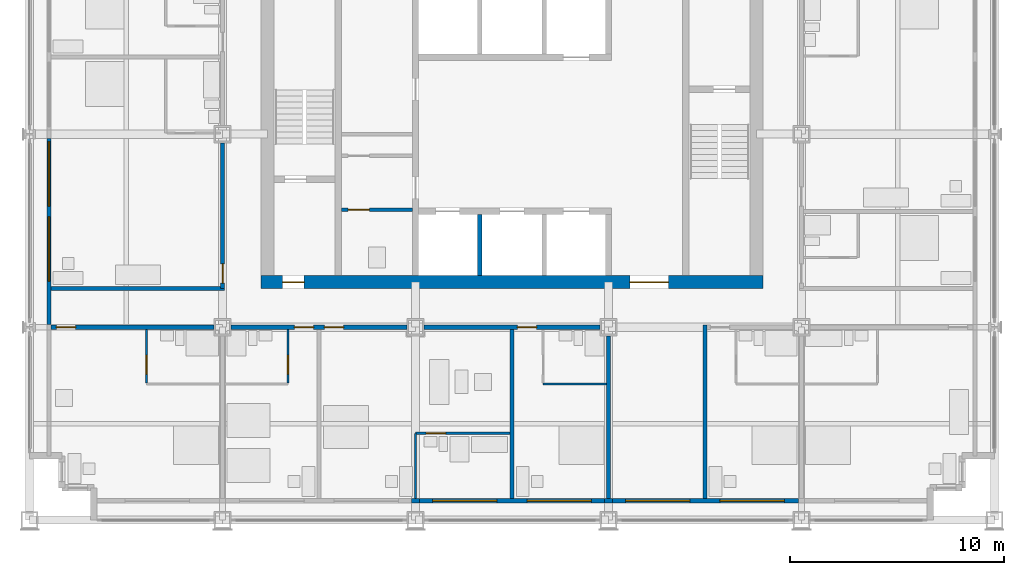
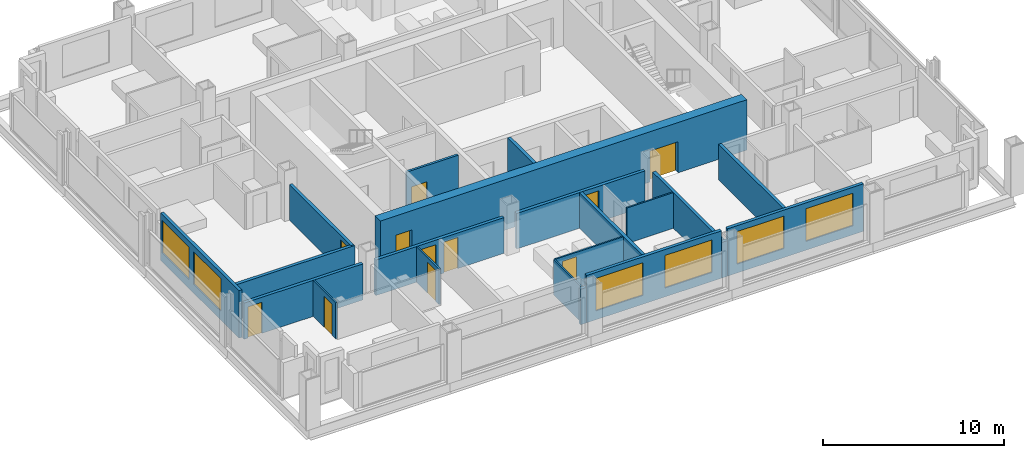
# One storey, part 9 of 16: 21 walls, 11 doors, 6 windows, 17 openings.
"""IFC4 building model written with IfcOpenShell, lengths in metres."""

import ifcopenshell
import ifcopenshell.guid

model = None  # the IFC model being written
_history = None  # IfcOwnerHistory: only IFC2X3 demands one
_inside = {}  # id of a spatial element -> (the spatial element, [elements in it])
_under = {}  # id of a project, library or spatial element -> (it, [spatial elements below it])
_declared = {}  # id of a project -> (the project, [libraries it declares])
_typed = {}  # id of a type object -> (the type object, [elements of that type])
_made_of = {}  # id of a material, layer set ... -> (it, [elements and type objects made of it])


def new_model(schema):
    """Start an empty IFC model of exactly this schema.

    Asked for "IFC4X3", IfcOpenShell would pick the latest addendum, in which some entities
    have other attributes; the version numbers below select the first issue.
    IFC2X3 requires an IfcOwnerHistory on every rooted entity: one is made here for all.
    """
    global model, _history
    if schema == "IFC4X3":
        model = ifcopenshell.file(schema_version=(4, 3, 0, 0))
    else:
        model = ifcopenshell.file(schema=schema)
    _inside.clear()
    _under.clear()
    _declared.clear()
    _typed.clear()
    _made_of.clear()
    _history = None
    if model.schema == "IFC2X3":
        org = make("IfcOrganization", Name="unknown")
        user = make(
            "IfcPersonAndOrganization",
            ThePerson=make("IfcPerson", FamilyName="unknown"),
            TheOrganization=org,
        )
        app = make(
            "IfcApplication",
            ApplicationDeveloper=org,
            Version="unknown",
            ApplicationFullName="unknown",
            ApplicationIdentifier="unknown",
        )
        _history = make(
            "IfcOwnerHistory",
            OwningUser=user,
            OwningApplication=app,
            ChangeAction="ADDED",
            CreationDate=0,
        )
    return model


def make(cls, **values):
    """One entity of the class cls with the attributes given. An attribute that is None is left unset."""
    return model.create_entity(
        cls, **{name: value for name, value in values.items() if value is not None}
    )


def rooted(cls, **values):
    """An entity with a GlobalId (a new one), such as an element, a storey or a relation."""
    return make(cls, GlobalId=ifcopenshell.guid.new(), OwnerHistory=_history, **values)


def si_unit(unit_type, name, prefix=None):
    """IfcSIUnit, for example si_unit("LENGTHUNIT", "METRE", prefix="MILLI")."""
    return make("IfcSIUnit", UnitType=unit_type, Prefix=prefix, Name=name)


def assignment(units):
    """IfcUnitAssignment: the units of a project."""
    return None if units is None else make("IfcUnitAssignment", Units=units)


def point(xyz):
    """IfcCartesianPoint."""
    return None if xyz is None else make("IfcCartesianPoint", Coordinates=xyz)


def direction(xyz):
    """IfcDirection."""
    return None if xyz is None else make("IfcDirection", DirectionRatios=xyz)


def frame(location, z_axis=None, x_axis=None):
    """IfcAxis2Placement3D, a coordinate frame: its origin and axes. An axis left out is left unset."""
    return make(
        "IfcAxis2Placement3D",
        Location=point(location),
        Axis=direction(z_axis),
        RefDirection=direction(x_axis),
    )


def frame_2d(location, x_axis=None):
    """IfcAxis2Placement2D, a coordinate frame in the plane: its origin and x axis."""
    return make(
        "IfcAxis2Placement2D", Location=point(location), RefDirection=direction(x_axis)
    )


def origin():
    """The frame at (0, 0, 0) with its axes left unset."""
    return frame((0.0, 0.0, 0.0))


def place(relative_to, where):
    """IfcLocalPlacement: puts the frame where relative to a parent placement (None: the world)."""
    return make(
        "IfcLocalPlacement", PlacementRelTo=relative_to, RelativePlacement=where
    )


def context(
    kind, dimensions, precision=None, world=None, true_north=None, identifier=None
):
    """IfcGeometricRepresentationContext, for example the 3D "Model" context."""
    return make(
        "IfcGeometricRepresentationContext",
        ContextIdentifier=identifier,
        ContextType=kind,
        CoordinateSpaceDimension=dimensions,
        Precision=precision,
        WorldCoordinateSystem=world,
        TrueNorth=true_north,
    )


def subcontext(parent, identifier, kind, view, scale=None):
    """IfcGeometricRepresentationSubContext, for example "Body" below "Model"."""
    return make(
        "IfcGeometricRepresentationSubContext",
        ContextIdentifier=identifier,
        ContextType=kind,
        ParentContext=parent,
        TargetScale=scale,
        TargetView=view,
    )


def project(units=None, contexts=None):
    """IfcProject with its units and contexts."""
    return rooted(
        "IfcProject",
        Name="project",
        RepresentationContexts=contexts,
        UnitsInContext=assignment(units),
    )


def spatial(cls, under=None, at=None, **own):
    """A site, building, storey or space (cls), placed at a placement, below another one or the project."""
    s = rooted(cls, ObjectPlacement=at, **own)
    if under is not None:
        _under.setdefault(under.id(), (under, []))[1].append(s)
    return s


def profile(cls, at=None, kind="AREA", **sizes):
    """A parametric profile (cls). Its sizes go by their IFC names, for example OverallWidth=200.0."""
    return make(cls, ProfileType=kind, Position=at, **sizes)


def rectangle(**sizes):
    """IfcRectangleProfileDef."""
    return profile("IfcRectangleProfileDef", **sizes)


def extrude(swept, where, along, depth):
    """IfcExtrudedAreaSolid: the profile swept, set in the frame where, extruded along a direction by depth."""
    return make(
        "IfcExtrudedAreaSolid",
        SweptArea=swept,
        Position=where,
        ExtrudedDirection=direction(along),
        Depth=depth,
    )


def shape(context_of_items, identifier, shape_type, items):
    """IfcShapeRepresentation: the items that make up one representation, for example the "Body"."""
    return make(
        "IfcShapeRepresentation",
        ContextOfItems=context_of_items,
        RepresentationIdentifier=identifier,
        RepresentationType=shape_type,
        Items=items,
    )


def material(Name=None, Category=None):
    """IfcMaterial."""
    return make("IfcMaterial", Name=Name, Category=Category)


def layer(
    of_material, thickness, ventilated=None, Name=None, Category=None, Priority=None
):
    """IfcMaterialLayer: one layer of a wall or slab, of a material (None: an air gap)."""
    return make(
        "IfcMaterialLayer",
        Material=of_material,
        LayerThickness=thickness,
        IsVentilated=ventilated,
        Name=Name,
        Category=Category,
        Priority=Priority,
    )


def layer_set(layers, Name=None):
    """IfcMaterialLayerSet."""
    return make("IfcMaterialLayerSet", MaterialLayers=layers, LayerSetName=Name)


def made_of(thing, what):
    """Note that an element or type object is made of a material, layer set ...; save() writes the relation."""
    if what is not None:
        _made_of.setdefault(what.id(), (what, []))[1].append(thing)
    return thing


def type_object(cls, material=None, **own):
    """A type object (cls), such as IfcWallType, which elements share."""
    return made_of(rooted(cls, **own), material)


def element(
    cls,
    number,
    at=None,
    inside=None,
    cuts=None,
    type_object=None,
    material=None,
    context=None,
    identifier="Body",
    shape_type=None,
    held_by="IfcProductDefinitionShape",
    body=None,
    shapes=None,
    **own,
):
    """One element of the class cls, such as IfcWall. Its Tag is "e" and its number.

    at: its placement. inside: the storey or other place that contains it. cuts: it is an
    opening in that element (IfcRelVoidsElement). A single representation is given by context,
    identifier, shape_type and body (its items); several are given by shapes. held_by: the class
    of the entity that holds the representations. save() writes the other relations.
    """
    e = rooted(cls, Tag="e%d" % number, ObjectPlacement=at, **own)
    if body is not None:
        shapes = [shape(context, identifier, shape_type, body)]
    if shapes is not None:
        e.Representation = make(held_by, Representations=shapes)
    if inside is not None:
        _inside.setdefault(inside.id(), (inside, []))[1].append(e)
    if cuts is not None:
        rooted(
            "IfcRelVoidsElement", RelatingBuildingElement=cuts, RelatedOpeningElement=e
        )
    if type_object is not None:
        _typed.setdefault(type_object.id(), (type_object, []))[1].append(e)
    return made_of(e, material)


def fill(opening, filler):
    """IfcRelFillsElement: the door or window that sits in an opening."""
    return rooted(
        "IfcRelFillsElement",
        RelatingOpeningElement=opening,
        RelatedBuildingElement=filler,
    )


def aggregate(whole, parts):
    """IfcRelAggregates: a whole, such as a stair, and the parts it consists of."""
    return rooted("IfcRelAggregates", RelatingObject=whole, RelatedObjects=parts)


def save(model, path):
    """Write the relations noted so far, then the file.

    IfcRelAggregates (storeys below a building ...), IfcRelContainedInSpatialStructure (elements
    in a storey), IfcRelDefinesByType, IfcRelAssociatesMaterial and IfcRelDeclares: one each for
    every whole, place, type object, material and project.
    """
    for whole, parts in _under.values():
        aggregate(whole, parts)
    for where, things in _inside.values():
        rooted(
            "IfcRelContainedInSpatialStructure",
            RelatedElements=things,
            RelatingStructure=where,
        )
    for kind, things in _typed.values():
        rooted("IfcRelDefinesByType", RelatedObjects=things, RelatingType=kind)
    for what, things in _made_of.values():
        rooted("IfcRelAssociatesMaterial", RelatedObjects=things, RelatingMaterial=what)
    for by, libraries in _declared.values():
        rooted("IfcRelDeclares", RelatingContext=by, RelatedDefinitions=libraries)
    model.write(path)


model = new_model("IFC4")

# Units and contexts
model_context = context("Model", 3, precision=1e-05, world=origin(), true_north=direction((0.0, 1.0)))
body_context = subcontext(model_context, "Body", "Model", "MODEL_VIEW")
ifc_project = project(units=[si_unit("LENGTHUNIT", "METRE"), si_unit("AREAUNIT", "SQUARE_METRE"), si_unit("VOLUMEUNIT", "CUBIC_METRE"), si_unit("PLANEANGLEUNIT", "RADIAN"), si_unit("MASSUNIT", "GRAM", prefix="KILO")], contexts=[model_context])

# Site, building, storey
site_placement = place(None, origin())
site = spatial("IfcSite", under=ifc_project, at=site_placement, CompositionType="ELEMENT")
building_placement = place(site_placement, origin())
building = spatial("IfcBuilding", under=site, at=building_placement, Name="Loomwork Tower", CompositionType="ELEMENT")
storey_placement = place(building_placement, frame((0.0, 0.0, 121.39990234375)))
storey = spatial("IfcBuildingStorey", under=building, at=storey_placement, Name="L32", CompositionType="ELEMENT", Elevation=121.39990234375)

# Wall, openings, doors
ifc_material_1 = material(Name="Concrete 14000 psi (97 MPa)", Category="concrete")
ifc_layer_1 = layer(ifc_material_1, 0.60009765625)
ifc_layer_set_1 = layer_set([ifc_layer_1], Name="Core shear wall 600")
wall_type_1 = type_object("IfcWallType", Name="Core shear wall 600", PredefinedType="SHEAR", material=ifc_layer_set_1)
wall_1_placement = place(storey_placement, frame((10.800048828125, 11.10009765625, 0.0), z_axis=(0.0, 0.0, 1.0), x_axis=(1.0, 0.0, 0.0)))
wall_1 = element("IfcWall", 1, at=wall_1_placement, inside=storey, type_object=wall_type_1, Name="Core wall south L32", PredefinedType="SHEAR", context=body_context, shape_type="SweptSolid", body=[
    extrude(rectangle(XDim=23.39990234375, YDim=0.60009765625, at=frame_2d((11.699951171875, 0.0))), origin(), (0.0, 0.0, 1.0), 3.400146484375),
])
opening_1_placement = place(wall_1_placement, frame((1.0, 0.0, 0.0)))
opening_1 = element("IfcOpeningElement", 2, at=opening_1_placement, cuts=wall_1, Name="Opening D4", PredefinedType="OPENING", context=body_context, shape_type="SweptSolid", body=[
    extrude(rectangle(XDim=1.0, YDim=2.10009765625, at=frame_2d((0.5, 1.050048828125))), frame((0.0, 0.31005859375, 0.0), z_axis=(0.0, -1.0, 0.0), x_axis=(1.0, 0.0, 0.0)), (0.0, 0.0, 1.0), 0.6201171875),
])
opening_2_placement = place(wall_1_placement, frame((17.199951171875, 0.0, 0.0)))
opening_2 = element("IfcOpeningElement", 3, at=opening_2_placement, cuts=wall_1, Name="Opening D6", PredefinedType="OPENING", context=body_context, shape_type="SweptSolid", body=[
    extrude(rectangle(XDim=1.800048828125, YDim=2.10009765625, at=frame_2d((0.89990234375, 1.050048828125))), frame((0.0, 0.31005859375, 0.0), z_axis=(0.0, -1.0, 0.0), x_axis=(1.0, 0.0, 0.0)), (0.0, 0.0, 1.0), 0.6201171875),
])
ifc_material_2 = material(Name="Hollow metal door and frame")
door_type_1 = type_object("IfcDoorType", Name="Lobby passage double door 1800", OperationType="DOUBLE_DOOR_SINGLE_SWING", PredefinedType="DOOR", material=ifc_material_2)
door_1_placement = place(opening_2_placement, origin())
door_1 = element("IfcDoor", 4, at=door_1_placement, inside=storey, type_object=door_type_1, Name="Lobby passage door south", OperationType="DOUBLE_DOOR_SINGLE_SWING", OverallHeight=2.10009765625, OverallWidth=1.800048828125, PredefinedType="DOOR", context=body_context, shape_type="SweptSolid", body=[
    extrude(rectangle(XDim=1.800048828125, YDim=2.10009765625, at=frame_2d((0.89990234375, 1.050048828125))), frame((0.0, 0.02490234375, 0.0), z_axis=(0.0, -1.0, 0.0), x_axis=(1.0, 0.0, 0.0)), (0.0, 0.0, 1.0), 0.050048828125),
])
fill(opening_2, door_1)
ifc_material_3 = material(Name="Hollow metal door and frame")
door_type_2 = type_object("IfcDoorType", Name="Stair door 1000", OperationType="SINGLE_SWING_RIGHT", PredefinedType="DOOR", material=ifc_material_3)
door_2_placement = place(opening_1_placement, origin())
door_2 = element("IfcDoor", 5, at=door_2_placement, inside=storey, type_object=door_type_2, Name="Stair A vestibule door", OperationType="SINGLE_SWING_LEFT", OverallHeight=2.10009765625, OverallWidth=1.0, PredefinedType="DOOR", context=body_context, shape_type="SweptSolid", body=[
    extrude(rectangle(XDim=1.0, YDim=2.10009765625, at=frame_2d((0.5, 1.050048828125))), frame((0.0, 0.02490234375, 0.0), z_axis=(0.0, -1.0, 0.0), x_axis=(1.0, 0.0, 0.0)), (0.0, 0.0, 1.0), 0.050048828125),
])
fill(opening_1, door_2)

# Wall, opening, door
ifc_material_4 = material(Name="Gypsum board on steel studs, one-hour", Category="steel")
ifc_layer_2 = layer(ifc_material_4, 0.199951171875)
ifc_layer_set_2 = layer_set([ifc_layer_2], Name="Corridor wall 200")
wall_type_2 = type_object("IfcWallType", Name="Corridor wall 200", PredefinedType="PARTITIONING", material=ifc_layer_set_2)
wall_2_placement = place(storey_placement, frame((1.0, 9.0, 0.0), z_axis=(0.0, 0.0, 1.0), x_axis=(1.0, 0.0, 0.0)))
wall_2 = element("IfcWall", 6, at=wall_2_placement, inside=storey, type_object=wall_type_2, Name="South corridor wall 1", PredefinedType="PARTITIONING", context=body_context, shape_type="SweptSolid", body=[
    extrude(rectangle(XDim=7.60009765625, YDim=0.199951171875, at=frame_2d((3.800048828125, 0.0))), origin(), (0.0, 0.0, 1.0), 2.43798828125),
])
opening_3_placement = place(wall_2_placement, frame((0.25, 0.0, 0.0)))
opening_3 = element("IfcOpeningElement", 7, at=opening_3_placement, cuts=wall_2, Name="Opening D1", PredefinedType="OPENING", context=body_context, shape_type="SweptSolid", body=[
    extrude(rectangle(XDim=0.89990234375, YDim=2.10009765625, at=frame_2d((0.449951171875, 1.050048828125))), frame((0.0, 0.10986328125, 0.0), z_axis=(0.0, -1.0, 0.0), x_axis=(1.0, 0.0, 0.0)), (0.0, 0.0, 1.0), 0.219970703125),
])
ifc_material_5 = material(Name="Hollow metal door and frame")
door_type_3 = type_object("IfcDoorType", Name="Guest room entry door 900", OperationType="SINGLE_SWING_LEFT", PredefinedType="DOOR", material=ifc_material_5)
door_3_placement = place(opening_3_placement, frame((0.89990234375, 0.0, 0.0), z_axis=(0.0, 0.0, 1.0), x_axis=(-1.0, 0.0, 0.0)))
door_3 = element("IfcDoor", 8, at=door_3_placement, inside=storey, type_object=door_type_3, Name="Guest room entry door L32 1", OperationType="SINGLE_SWING_RIGHT", OverallHeight=2.10009765625, OverallWidth=0.89990234375, PredefinedType="DOOR", context=body_context, shape_type="SweptSolid", body=[
    extrude(rectangle(XDim=0.89990234375, YDim=2.10009765625, at=frame_2d((0.449951171875, 1.050048828125))), frame((0.0, 0.02490234375, 0.0), z_axis=(0.0, -1.0, 0.0), x_axis=(1.0, 0.0, 0.0)), (0.0, 0.0, 1.0), 0.050048828125),
])
fill(opening_3, door_3)

# Wall, openings, doors
wall_3_placement = place(storey_placement, frame((9.39990234375, 9.0, 0.0), z_axis=(0.0, 0.0, 1.0), x_axis=(1.0, 0.0, 0.0)))
wall_3 = element("IfcWall", 9, at=wall_3_placement, inside=storey, type_object=wall_type_2, Name="South corridor wall 2", PredefinedType="PARTITIONING", context=body_context, shape_type="SweptSolid", body=[
    extrude(rectangle(XDim=8.2001953125, YDim=0.199951171875, at=frame_2d((4.10009765625, 0.0))), origin(), (0.0, 0.0, 1.0), 2.405029296875),
])
opening_4_placement = place(wall_3_placement, frame((2.949951171875, 0.0, 0.0)))
opening_4 = element("IfcOpeningElement", 10, at=opening_4_placement, cuts=wall_3, Name="Opening D1", PredefinedType="OPENING", context=body_context, shape_type="SweptSolid", body=[
    extrude(rectangle(XDim=0.89990234375, YDim=2.10009765625, at=frame_2d((0.449951171875, 1.050048828125))), frame((0.0, 0.10986328125, 0.0), z_axis=(0.0, -1.0, 0.0), x_axis=(1.0, 0.0, 0.0)), (0.0, 0.0, 1.0), 0.219970703125),
])
opening_5_placement = place(wall_3_placement, frame((4.35009765625, 0.0, 0.0)))
opening_5 = element("IfcOpeningElement", 11, at=opening_5_placement, cuts=wall_3, Name="Opening D1", PredefinedType="OPENING", context=body_context, shape_type="SweptSolid", body=[
    extrude(rectangle(XDim=0.89990234375, YDim=2.10009765625, at=frame_2d((0.449951171875, 1.050048828125))), frame((0.0, 0.10986328125, 0.0), z_axis=(0.0, -1.0, 0.0), x_axis=(1.0, 0.0, 0.0)), (0.0, 0.0, 1.0), 0.219970703125),
])
door_4_placement = place(opening_4_placement, frame((0.89990234375, 0.0, 0.0), z_axis=(0.0, 0.0, 1.0), x_axis=(-1.0, 0.0, 0.0)))
door_4 = element("IfcDoor", 12, at=door_4_placement, inside=storey, type_object=door_type_3, Name="Guest room entry door L32 2", OperationType="SINGLE_SWING_LEFT", OverallHeight=2.10009765625, OverallWidth=0.89990234375, PredefinedType="DOOR", context=body_context, shape_type="SweptSolid", body=[
    extrude(rectangle(XDim=0.89990234375, YDim=2.10009765625, at=frame_2d((0.449951171875, 1.050048828125))), frame((0.0, 0.02490234375, 0.0), z_axis=(0.0, -1.0, 0.0), x_axis=(1.0, 0.0, 0.0)), (0.0, 0.0, 1.0), 0.050048828125),
])
fill(opening_4, door_4)
door_5_placement = place(opening_5_placement, frame((0.89990234375, 0.0, 0.0), z_axis=(0.0, 0.0, 1.0), x_axis=(-1.0, 0.0, 0.0)))
door_5 = element("IfcDoor", 13, at=door_5_placement, inside=storey, type_object=door_type_3, Name="Guest room entry door L32 3", OperationType="SINGLE_SWING_RIGHT", OverallHeight=2.10009765625, OverallWidth=0.89990234375, PredefinedType="DOOR", context=body_context, shape_type="SweptSolid", body=[
    extrude(rectangle(XDim=0.89990234375, YDim=2.10009765625, at=frame_2d((0.449951171875, 1.050048828125))), frame((0.0, 0.02490234375, 0.0), z_axis=(0.0, -1.0, 0.0), x_axis=(1.0, 0.0, 0.0)), (0.0, 0.0, 1.0), 0.050048828125),
])
fill(opening_5, door_5)

# Wall, opening, door
wall_4_placement = place(storey_placement, frame((18.39990234375, 9.0, 0.0), z_axis=(0.0, 0.0, 1.0), x_axis=(1.0, 0.0, 0.0)))
wall_4 = element("IfcWall", 14, at=wall_4_placement, inside=storey, type_object=wall_type_2, Name="South corridor wall 3", PredefinedType="PARTITIONING", context=body_context, shape_type="SweptSolid", body=[
    extrude(rectangle(XDim=8.2001953125, YDim=0.199951171875, at=frame_2d((4.10009765625, 0.0))), origin(), (0.0, 0.0, 1.0), 2.405029296875),
])
opening_6_placement = place(wall_4_placement, frame((4.35009765625, 0.0, 0.0)))
opening_6 = element("IfcOpeningElement", 15, at=opening_6_placement, cuts=wall_4, Name="Opening D1", PredefinedType="OPENING", context=body_context, shape_type="SweptSolid", body=[
    extrude(rectangle(XDim=0.89990234375, YDim=2.10009765625, at=frame_2d((0.449951171875, 1.050048828125))), frame((0.0, 0.10986328125, 0.0), z_axis=(0.0, -1.0, 0.0), x_axis=(1.0, 0.0, 0.0)), (0.0, 0.0, 1.0), 0.219970703125),
])
door_6_placement = place(opening_6_placement, frame((0.89990234375, 0.0, 0.0), z_axis=(0.0, 0.0, 1.0), x_axis=(-1.0, 0.0, 0.0)))
door_6 = element("IfcDoor", 16, at=door_6_placement, inside=storey, type_object=door_type_3, Name="Guest room entry door L32 4", OperationType="SINGLE_SWING_RIGHT", OverallHeight=2.10009765625, OverallWidth=0.89990234375, PredefinedType="DOOR", context=body_context, shape_type="SweptSolid", body=[
    extrude(rectangle(XDim=0.89990234375, YDim=2.10009765625, at=frame_2d((0.449951171875, 1.050048828125))), frame((0.0, 0.02490234375, 0.0), z_axis=(0.0, -1.0, 0.0), x_axis=(1.0, 0.0, 0.0)), (0.0, 0.0, 1.0), 0.050048828125),
])
fill(opening_6, door_6)

wall_5_placement = place(storey_placement, frame((9.0, 10.800048828125, 0.0), z_axis=(0.0, 0.0, 1.0), x_axis=(0.0, 1.0, 0.0)))
wall_5 = element("IfcWall", 17, at=wall_5_placement, inside=storey, type_object=wall_type_2, Name="West corridor wall 1", PredefinedType="PARTITIONING", context=body_context, shape_type="SweptSolid", body=[
    extrude(rectangle(XDim=6.800048828125, YDim=0.199951171875, at=frame_2d((3.39990234375, 0.0))), origin(), (0.0, 0.0, 1.0), 2.405029296875),
])
opening_7_placement = place(wall_5_placement, frame((0.25, 0.0, 0.0)))
opening_7 = element("IfcOpeningElement", 18, at=opening_7_placement, cuts=wall_5, Name="Opening D1", PredefinedType="OPENING", context=body_context, shape_type="SweptSolid", body=[
    extrude(rectangle(XDim=0.89990234375, YDim=2.10009765625, at=frame_2d((0.449951171875, 1.050048828125))), frame((0.0, 0.10986328125, 0.0), z_axis=(0.0, -1.0, 0.0), x_axis=(1.0, 0.0, 0.0)), (0.0, 0.0, 1.0), 0.219970703125),
])
door_7_placement = place(opening_7_placement, origin())
door_7 = element("IfcDoor", 19, at=door_7_placement, inside=storey, type_object=door_type_3, Name="Guest room entry door L32 12", OperationType="SINGLE_SWING_LEFT", OverallHeight=2.10009765625, OverallWidth=0.89990234375, PredefinedType="DOOR", context=body_context, shape_type="SweptSolid", body=[
    extrude(rectangle(XDim=0.89990234375, YDim=2.10009765625, at=frame_2d((0.449951171875, 1.050048828125))), frame((0.0, 0.02490234375, 0.0), z_axis=(0.0, -1.0, 0.0), x_axis=(1.0, 0.0, 0.0)), (0.0, 0.0, 1.0), 0.050048828125),
])
fill(opening_7, door_7)

# Wall
wall_6_placement = place(storey_placement, frame((1.0, 10.800048828125, 0.0), z_axis=(0.0, 0.0, 1.0), x_axis=(1.0, 0.0, 0.0)))
element("IfcWall", 20, at=wall_6_placement, inside=storey, type_object=wall_type_2, Name="West band end wall S", PredefinedType="PARTITIONING", context=body_context, shape_type="SweptSolid", body=[
    extrude(rectangle(XDim=8.10009765625, YDim=0.199951171875, at=frame_2d((4.050048828125, 0.0))), origin(), (0.0, 0.0, 1.0), 2.404052734375),
])

# Wall, opening, door
ifc_material_6 = material(Name="Cement board on steel studs", Category="steel")
ifc_layer_3 = layer(ifc_material_6, 0.10009765625)
ifc_layer_set_3 = layer_set([ifc_layer_3], Name="En-suite partition 100")
wall_type_3 = type_object("IfcWallType", Name="En-suite partition 100", PredefinedType="PARTITIONING", material=ifc_layer_set_3)
wall_7_placement = place(storey_placement, frame((5.449951171875, 8.89990234375, 0.0), z_axis=(0.0, 0.0, 1.0), x_axis=(0.0, -1.0, 0.0)))
wall_7 = element("IfcWall", 21, at=wall_7_placement, inside=storey, type_object=wall_type_3, Name="En-suite side wall L32 room 1", PredefinedType="PARTITIONING", context=body_context, shape_type="SweptSolid", body=[
    extrude(rectangle(XDim=2.5, YDim=0.10009765625, at=frame_2d((1.25, 0.0))), origin(), (0.0, 0.0, 1.0), 2.43798828125),
])
opening_8_placement = place(wall_7_placement, frame((1.199951171875, 0.0, 0.0)))
opening_8 = element("IfcOpeningElement", 22, at=opening_8_placement, cuts=wall_7, Name="Opening D3", PredefinedType="OPENING", context=body_context, shape_type="SweptSolid", body=[
    extrude(rectangle(XDim=0.89990234375, YDim=2.10009765625, at=frame_2d((0.449951171875, 1.050048828125))), frame((0.0, 0.06005859375, 0.0), z_axis=(0.0, -1.0, 0.0), x_axis=(1.0, 0.0, 0.0)), (0.0, 0.0, 1.0), 0.1201171875),
])
ifc_material_7 = material(Name="Hollow metal door and frame")
door_type_4 = type_object("IfcDoorType", Name="Accessible en-suite door 900", OperationType="SLIDING_TO_LEFT", PredefinedType="DOOR", material=ifc_material_7)
door_8_placement = place(opening_8_placement, origin())
door_8 = element("IfcDoor", 23, at=door_8_placement, inside=storey, type_object=door_type_4, Name="Accessible en-suite door room 1", OperationType="SLIDING_TO_LEFT", OverallHeight=2.10009765625, OverallWidth=0.89990234375, PredefinedType="DOOR", context=body_context, shape_type="SweptSolid", body=[
    extrude(rectangle(XDim=0.89990234375, YDim=2.10009765625, at=frame_2d((0.449951171875, 1.050048828125))), frame((0.0, 0.02490234375, 0.0), z_axis=(0.0, -1.0, 0.0), x_axis=(1.0, 0.0, 0.0)), (0.0, 0.0, 1.0), 0.050048828125),
])
fill(opening_8, door_8)

wall_8_placement = place(storey_placement, frame((12.050048828125, 8.89990234375, 0.0), z_axis=(0.0, 0.0, 1.0), x_axis=(0.0, -1.0, 0.0)))
wall_8 = element("IfcWall", 24, at=wall_8_placement, inside=storey, type_object=wall_type_3, Name="En-suite side wall L32 room 2", PredefinedType="PARTITIONING", context=body_context, shape_type="SweptSolid", body=[
    extrude(rectangle(XDim=2.5, YDim=0.10009765625, at=frame_2d((1.25, 0.0))), origin(), (0.0, 0.0, 1.0), 2.404052734375),
])
opening_9_placement = place(wall_8_placement, frame((1.199951171875, 0.0, 0.0)))
opening_9 = element("IfcOpeningElement", 25, at=opening_9_placement, cuts=wall_8, Name="Opening D2", PredefinedType="OPENING", context=body_context, shape_type="SweptSolid", body=[
    extrude(rectangle(XDim=0.89990234375, YDim=2.10009765625, at=frame_2d((0.449951171875, 1.050048828125))), frame((0.0, 0.06005859375, 0.0), z_axis=(0.0, -1.0, 0.0), x_axis=(1.0, 0.0, 0.0)), (0.0, 0.0, 1.0), 0.1201171875),
])
ifc_material_8 = material(Name="Hollow metal door and frame")
door_type_5 = type_object("IfcDoorType", Name="En-suite door 900", OperationType="SINGLE_SWING_LEFT", PredefinedType="DOOR", material=ifc_material_8)
door_9_placement = place(opening_9_placement, frame((0.89990234375, 0.0, 0.0), z_axis=(0.0, 0.0, 1.0), x_axis=(-1.0, 0.0, 0.0)))
door_9 = element("IfcDoor", 26, at=door_9_placement, inside=storey, type_object=door_type_5, Name="En-suite door room 2", OperationType="SINGLE_SWING_LEFT", OverallHeight=2.10009765625, OverallWidth=0.89990234375, PredefinedType="DOOR", context=body_context, shape_type="SweptSolid", body=[
    extrude(rectangle(XDim=0.89990234375, YDim=2.10009765625, at=frame_2d((0.449951171875, 1.050048828125))), frame((0.0, 0.02490234375, 0.0), z_axis=(0.0, -1.0, 0.0), x_axis=(1.0, 0.0, 0.0)), (0.0, 0.0, 1.0), 0.050048828125),
])
fill(opening_9, door_9)

wall_9_placement = place(storey_placement, frame((18.0, 4.050048828125, 0.0), z_axis=(0.0, 0.0, 1.0), x_axis=(1.0, 0.0, 0.0)))
wall_9 = element("IfcWall", 27, at=wall_9_placement, inside=storey, type_object=wall_type_3, Name="Spa bathroom wall L32 room 3", PredefinedType="PARTITIONING", context=body_context, shape_type="SweptSolid", body=[
    extrude(rectangle(XDim=4.39990234375, YDim=0.10009765625, at=frame_2d((2.199951171875, 0.0))), origin(), (0.0, 0.0, 1.0), 2.404052734375),
])
opening_10_placement = place(wall_9_placement, frame((0.5, 0.0, 0.0)))
opening_10 = element("IfcOpeningElement", 28, at=opening_10_placement, cuts=wall_9, Name="Opening D2", PredefinedType="OPENING", context=body_context, shape_type="SweptSolid", body=[
    extrude(rectangle(XDim=0.89990234375, YDim=2.10009765625, at=frame_2d((0.449951171875, 1.050048828125))), frame((0.0, 0.06005859375, 0.0), z_axis=(0.0, -1.0, 0.0), x_axis=(1.0, 0.0, 0.0)), (0.0, 0.0, 1.0), 0.1201171875),
])
door_10_placement = place(opening_10_placement, frame((0.89990234375, 0.0, 0.0), z_axis=(0.0, 0.0, 1.0), x_axis=(-1.0, 0.0, 0.0)))
door_10 = element("IfcDoor", 29, at=door_10_placement, inside=storey, type_object=door_type_5, Name="Spa bathroom door room 3", OperationType="SINGLE_SWING_RIGHT", OverallHeight=2.10009765625, OverallWidth=0.89990234375, PredefinedType="DOOR", context=body_context, shape_type="SweptSolid", body=[
    extrude(rectangle(XDim=0.89990234375, YDim=2.10009765625, at=frame_2d((0.449951171875, 1.050048828125))), frame((0.0, 0.02490234375, 0.0), z_axis=(0.0, -1.0, 0.0), x_axis=(1.0, 0.0, 0.0)), (0.0, 0.0, 1.0), 0.050048828125),
])
fill(opening_10, door_10)

# Walls
wall_10_placement = place(storey_placement, frame((18.0, 4.050048828125, 0.0), z_axis=(0.0, 0.0, 1.0), x_axis=(0.0, -1.0, 0.0)))
element("IfcWall", 30, at=wall_10_placement, inside=storey, type_object=wall_type_3, Name="Spa bathroom side wall L32 room 3", PredefinedType="PARTITIONING", context=body_context, shape_type="SweptSolid", body=[
    extrude(rectangle(XDim=3.050048828125, YDim=0.10009765625, at=frame_2d((1.52490234375, 0.0))), origin(), (0.0, 0.0, 1.0), 2.405029296875),
])
wall_11_placement = place(storey_placement, frame((23.949951171875, 6.35009765625, 0.0), z_axis=(0.0, 0.0, 1.0), x_axis=(1.0, 0.0, 0.0)))
element("IfcWall", 31, at=wall_11_placement, inside=storey, type_object=wall_type_3, Name="En-suite wall L32 room 4", PredefinedType="PARTITIONING", context=body_context, shape_type="SweptSolid", body=[
    extrude(rectangle(XDim=2.949951171875, YDim=0.10009765625, at=frame_2d((1.47509765625, 0.0))), origin(), (0.0, 0.0, 1.0), 2.404052734375),
])
ifc_material_9 = material(Name="Gypsum board on steel studs, acoustic", Category="steel")
ifc_layer_4 = layer(ifc_material_9, 0.199951171875)
ifc_layer_set_4 = layer_set([ifc_layer_4], Name="Guest room party wall 200")
wall_type_4 = type_object("IfcWallType", Name="Guest room party wall 200", PredefinedType="PARTITIONING", material=ifc_layer_set_4)
wall_12_placement = place(storey_placement, frame((22.5, 8.89990234375, 0.0), z_axis=(0.0, 0.0, 1.0), x_axis=(0.0, -1.0, 0.0)))
element("IfcWall", 32, at=wall_12_placement, inside=storey, type_object=wall_type_4, Name="Guest room party wall S 22.5", PredefinedType="PARTITIONING", context=body_context, shape_type="SweptSolid", body=[
    extrude(rectangle(XDim=7.89990234375, YDim=0.199951171875, at=frame_2d((3.949951171875, 0.0))), origin(), (0.0, 0.0, 1.0), 2.404052734375),
])
wall_13_placement = place(storey_placement, frame((27.0, 8.60009765625, 0.0), z_axis=(0.0, 0.0, 1.0), x_axis=(0.0, -1.0, 0.0)))
element("IfcWall", 33, at=wall_13_placement, inside=storey, type_object=wall_type_4, Name="Guest room party wall S 27", PredefinedType="PARTITIONING", context=body_context, shape_type="SweptSolid", body=[
    extrude(rectangle(XDim=7.60009765625, YDim=0.199951171875, at=frame_2d((3.800048828125, 0.0))), origin(), (0.0, 0.0, 1.0), 2.405029296875),
])
wall_14_placement = place(storey_placement, frame((31.5, 9.10009765625, 0.0), z_axis=(0.0, 0.0, 1.0), x_axis=(0.0, -1.0, 0.0)))
element("IfcWall", 34, at=wall_14_placement, inside=storey, type_object=wall_type_4, Name="Guest room party wall S 31.5", PredefinedType="PARTITIONING", context=body_context, shape_type="SweptSolid", body=[
    extrude(rectangle(XDim=8.10009765625, YDim=0.199951171875, at=frame_2d((4.050048828125, 0.0))), origin(), (0.0, 0.0, 1.0), 2.404052734375),
])
ifc_material_10 = material(Name="Insulated steel stud wall with gypsum lining", Category="steel")
ifc_layer_5 = layer(ifc_material_10, 0.199951171875)
ifc_layer_set_5 = layer_set([ifc_layer_5], Name="Inner skin wall 200")
wall_type_5 = type_object("IfcWallType", Name="Inner skin wall 200", PredefinedType="SOLIDWALL", material=ifc_layer_set_5)
wall_15_placement = place(storey_placement, frame((17.80615234375, 0.89990234375, 0.0), z_axis=(0.0, 0.0, 1.0), x_axis=(1.0, 0.0, 0.0)))
element("IfcWall", 35, at=wall_15_placement, inside=storey, type_object=wall_type_5, Name="Inner skin wall S bay 4", PredefinedType="SOLIDWALL", context=body_context, shape_type="SweptSolid", body=[
    extrude(rectangle(XDim=0.3876953125, YDim=0.199951171875, at=frame_2d((0.19384765625, 0.0))), origin(), (0.0, 0.0, 1.0), 2.404052734375),
])

# Wall, openings, windows
wall_16_placement = place(storey_placement, frame((18.19384765625, 0.89990234375, 0.0), z_axis=(0.0, 0.0, 1.0), x_axis=(1.0, 0.0, 0.0)))
wall_16 = element("IfcWall", 36, at=wall_16_placement, inside=storey, type_object=wall_type_5, Name="Inner skin wall S bay 5", PredefinedType="SOLIDWALL", context=body_context, shape_type="SweptSolid", body=[
    extrude(rectangle(XDim=8.6123046875, YDim=0.199951171875, at=frame_2d((4.30615234375, 0.0))), origin(), (0.0, 0.0, 1.0), 3.2001953125),
])
opening_11_placement = place(wall_16_placement, frame((0.606201171875, 0.0, 0.60009765625)))
opening_11 = element("IfcOpeningElement", 37, at=opening_11_placement, cuts=wall_16, Name="Opening CH1", PredefinedType="OPENING", context=body_context, shape_type="SweptSolid", body=[
    extrude(rectangle(XDim=3.0, YDim=2.199951171875, at=frame_2d((1.5, 1.10009765625))), frame((0.0, 0.10986328125, 0.0), z_axis=(0.0, -1.0, 0.0), x_axis=(1.0, 0.0, 0.0)), (0.0, 0.0, 1.0), 0.219970703125),
])
opening_12_placement = place(wall_16_placement, frame((5.006103515625, 0.0, 0.60009765625)))
opening_12 = element("IfcOpeningElement", 38, at=opening_12_placement, cuts=wall_16, Name="Opening CH1", PredefinedType="OPENING", context=body_context, shape_type="SweptSolid", body=[
    extrude(rectangle(XDim=3.0, YDim=2.199951171875, at=frame_2d((1.5, 1.10009765625))), frame((0.0, 0.10986328125, 0.0), z_axis=(0.0, -1.0, 0.0), x_axis=(1.0, 0.0, 0.0)), (0.0, 0.0, 1.0), 0.219970703125),
])
ifc_material_11 = material(Name="Aluminium frame with clear insulated glass", Category="aluminium")
window_type = type_object("IfcWindowType", Name="Chicago window 3000", PartitioningType="TRIPLE_PANEL_VERTICAL", PredefinedType="WINDOW", material=ifc_material_11)
window_1_placement = place(opening_11_placement, origin())
window_1 = element("IfcWindow", 39, at=window_1_placement, inside=storey, type_object=window_type, Name="Chicago window L32 bay 3", OverallHeight=2.199951171875, OverallWidth=3.0, PartitioningType="TRIPLE_PANEL_VERTICAL", PredefinedType="WINDOW", context=body_context, shape_type="SweptSolid", body=[
    extrude(rectangle(XDim=3.0, YDim=2.199951171875, at=frame_2d((1.5, 1.10009765625))), frame((0.0, 0.030029296875, 0.0), z_axis=(0.0, -1.0, 0.0), x_axis=(1.0, 0.0, 0.0)), (0.0, 0.0, 1.0), 0.06005859375),
])
fill(opening_11, window_1)
window_2_placement = place(opening_12_placement, origin())
window_2 = element("IfcWindow", 40, at=window_2_placement, inside=storey, type_object=window_type, Name="Chicago window L32 bay 3", OverallHeight=2.199951171875, OverallWidth=3.0, PartitioningType="TRIPLE_PANEL_VERTICAL", PredefinedType="WINDOW", context=body_context, shape_type="SweptSolid", body=[
    extrude(rectangle(XDim=3.0, YDim=2.199951171875, at=frame_2d((1.5, 1.10009765625))), frame((0.0, 0.030029296875, 0.0), z_axis=(0.0, -1.0, 0.0), x_axis=(1.0, 0.0, 0.0)), (0.0, 0.0, 1.0), 0.06005859375),
])
fill(opening_12, window_2)

# Wall
wall_17_placement = place(storey_placement, frame((26.80615234375, 0.89990234375, 0.0), z_axis=(0.0, 0.0, 1.0), x_axis=(1.0, 0.0, 0.0)))
element("IfcWall", 41, at=wall_17_placement, inside=storey, type_object=wall_type_5, Name="Inner skin wall S bay 6", PredefinedType="SOLIDWALL", context=body_context, shape_type="SweptSolid", body=[
    extrude(rectangle(XDim=0.3876953125, YDim=0.199951171875, at=frame_2d((0.19384765625, 0.0))), origin(), (0.0, 0.0, 1.0), 2.404052734375),
])

# Wall, openings, windows
wall_18_placement = place(storey_placement, frame((27.19384765625, 0.89990234375, 0.0), z_axis=(0.0, 0.0, 1.0), x_axis=(1.0, 0.0, 0.0)))
wall_18 = element("IfcWall", 42, at=wall_18_placement, inside=storey, type_object=wall_type_5, Name="Inner skin wall S bay 7", PredefinedType="SOLIDWALL", context=body_context, shape_type="SweptSolid", body=[
    extrude(rectangle(XDim=8.670654296875, YDim=0.199951171875, at=frame_2d((4.33544921875, 0.0))), origin(), (0.0, 0.0, 1.0), 3.2001953125),
])
opening_13_placement = place(wall_18_placement, frame((0.606201171875, 0.0, 0.60009765625)))
opening_13 = element("IfcOpeningElement", 43, at=opening_13_placement, cuts=wall_18, Name="Opening CH1", PredefinedType="OPENING", context=body_context, shape_type="SweptSolid", body=[
    extrude(rectangle(XDim=3.0, YDim=2.199951171875, at=frame_2d((1.5, 1.10009765625))), frame((0.0, 0.10986328125, 0.0), z_axis=(0.0, -1.0, 0.0), x_axis=(1.0, 0.0, 0.0)), (0.0, 0.0, 1.0), 0.219970703125),
])
opening_14_placement = place(wall_18_placement, frame((5.006103515625, 0.0, 0.60009765625)))
opening_14 = element("IfcOpeningElement", 44, at=opening_14_placement, cuts=wall_18, Name="Opening CH1", PredefinedType="OPENING", context=body_context, shape_type="SweptSolid", body=[
    extrude(rectangle(XDim=3.0, YDim=2.199951171875, at=frame_2d((1.5, 1.10009765625))), frame((0.0, 0.10986328125, 0.0), z_axis=(0.0, -1.0, 0.0), x_axis=(1.0, 0.0, 0.0)), (0.0, 0.0, 1.0), 0.219970703125),
])
window_3_placement = place(opening_13_placement, origin())
window_3 = element("IfcWindow", 45, at=window_3_placement, inside=storey, type_object=window_type, Name="Chicago window L32 bay 4", OverallHeight=2.199951171875, OverallWidth=3.0, PartitioningType="TRIPLE_PANEL_VERTICAL", PredefinedType="WINDOW", context=body_context, shape_type="SweptSolid", body=[
    extrude(rectangle(XDim=3.0, YDim=2.199951171875, at=frame_2d((1.5, 1.10009765625))), frame((0.0, 0.030029296875, 0.0), z_axis=(0.0, -1.0, 0.0), x_axis=(1.0, 0.0, 0.0)), (0.0, 0.0, 1.0), 0.06005859375),
])
fill(opening_13, window_3)
window_4_placement = place(opening_14_placement, origin())
window_4 = element("IfcWindow", 46, at=window_4_placement, inside=storey, type_object=window_type, Name="Chicago window L32 bay 4", OverallHeight=2.199951171875, OverallWidth=3.0, PartitioningType="TRIPLE_PANEL_VERTICAL", PredefinedType="WINDOW", context=body_context, shape_type="SweptSolid", body=[
    extrude(rectangle(XDim=3.0, YDim=2.199951171875, at=frame_2d((1.5, 1.10009765625))), frame((0.0, 0.030029296875, 0.0), z_axis=(0.0, -1.0, 0.0), x_axis=(1.0, 0.0, 0.0)), (0.0, 0.0, 1.0), 0.06005859375),
])
fill(opening_14, window_4)

wall_19_placement = place(storey_placement, frame((0.89990234375, 9.13525390625, 0.0), z_axis=(0.0, 0.0, 1.0), x_axis=(0.0, 1.0, 0.0)))
wall_19 = element("IfcWall", 47, at=wall_19_placement, inside=storey, type_object=wall_type_5, Name="Inner skin wall W bay 5", PredefinedType="SOLIDWALL", context=body_context, shape_type="SweptSolid", body=[
    extrude(rectangle(XDim=8.6708984375, YDim=0.199951171875, at=frame_2d((4.33544921875, 0.0))), origin(), (0.0, 0.0, 1.0), 3.2001953125),
])
opening_15_placement = place(wall_19_placement, frame((2.0146484375, 0.0, 0.60009765625)))
opening_15 = element("IfcOpeningElement", 48, at=opening_15_placement, cuts=wall_19, Name="Opening CH1", PredefinedType="OPENING", context=body_context, shape_type="SweptSolid", body=[
    extrude(rectangle(XDim=3.0, YDim=2.199951171875, at=frame_2d((1.5, 1.10009765625))), frame((0.0, 0.10986328125, 0.0), z_axis=(0.0, -1.0, 0.0), x_axis=(1.0, 0.0, 0.0)), (0.0, 0.0, 1.0), 0.219970703125),
])
opening_16_placement = place(wall_19_placement, frame((5.5146484375, 0.0, 0.60009765625)))
opening_16 = element("IfcOpeningElement", 49, at=opening_16_placement, cuts=wall_19, Name="Opening CH1", PredefinedType="OPENING", context=body_context, shape_type="SweptSolid", body=[
    extrude(rectangle(XDim=3.0, YDim=2.199951171875, at=frame_2d((1.5, 1.10009765625))), frame((0.0, 0.10986328125, 0.0), z_axis=(0.0, -1.0, 0.0), x_axis=(1.0, 0.0, 0.0)), (0.0, 0.0, 1.0), 0.219970703125),
])
window_5_placement = place(opening_15_placement, origin())
window_5 = element("IfcWindow", 50, at=window_5_placement, inside=storey, type_object=window_type, Name="Chicago window L32 bay 11", OverallHeight=2.199951171875, OverallWidth=3.0, PartitioningType="TRIPLE_PANEL_VERTICAL", PredefinedType="WINDOW", context=body_context, shape_type="SweptSolid", body=[
    extrude(rectangle(XDim=3.0, YDim=2.199951171875, at=frame_2d((1.5, 1.10009765625))), frame((0.0, 0.030029296875, 0.0), z_axis=(0.0, -1.0, 0.0), x_axis=(1.0, 0.0, 0.0)), (0.0, 0.0, 1.0), 0.06005859375),
])
fill(opening_15, window_5)
window_6_placement = place(opening_16_placement, origin())
window_6 = element("IfcWindow", 51, at=window_6_placement, inside=storey, type_object=window_type, Name="Chicago window L32 bay 11", OverallHeight=2.199951171875, OverallWidth=3.0, PartitioningType="TRIPLE_PANEL_VERTICAL", PredefinedType="WINDOW", context=body_context, shape_type="SweptSolid", body=[
    extrude(rectangle(XDim=3.0, YDim=2.199951171875, at=frame_2d((1.5, 1.10009765625))), frame((0.0, 0.030029296875, 0.0), z_axis=(0.0, -1.0, 0.0), x_axis=(1.0, 0.0, 0.0)), (0.0, 0.0, 1.0), 0.06005859375),
])
fill(opening_16, window_6)

# Wall
ifc_material_12 = material(Name="Concrete 14000 psi (97 MPa)", Category="concrete")
ifc_layer_6 = layer(ifc_material_12, 0.199951171875)
ifc_layer_set_6 = layer_set([ifc_layer_6], Name="Lift shaft wall 200")
wall_type_6 = type_object("IfcWallType", Name="Lift shaft wall 200", PredefinedType="SHEAR", material=ifc_layer_set_6)
wall_20_placement = place(storey_placement, frame((21.0, 11.39990234375, 0.0), z_axis=(0.0, 0.0, 1.0), x_axis=(0.0, 1.0, 0.0)))
element("IfcWall", 52, at=wall_20_placement, inside=storey, type_object=wall_type_6, Name="Lift shaft separation wall south 1 L32", PredefinedType="SHEAR", context=body_context, shape_type="SweptSolid", body=[
    extrude(rectangle(XDim=2.85009765625, YDim=0.199951171875, at=frame_2d((1.425048828125, 0.0))), origin(), (0.0, 0.0, 1.0), 3.400146484375),
])

# Wall, opening, door
ifc_material_13 = material(Name="Gypsum board on steel studs, one-hour", Category="steel")
ifc_layer_7 = layer(ifc_material_13, 0.14990234375)
ifc_layer_set_7 = layer_set([ifc_layer_7], Name="Service partition 150")
wall_type_7 = type_object("IfcWallType", Name="Service partition 150", PredefinedType="PARTITIONING", material=ifc_layer_set_7)
wall_21_placement = place(storey_placement, frame((14.550048828125, 14.47509765625, 0.0), z_axis=(0.0, 0.0, 1.0), x_axis=(1.0, 0.0, 0.0)))
wall_21 = element("IfcWall", 53, at=wall_21_placement, inside=storey, type_object=wall_type_7, Name="Back-of-house partition L32", PredefinedType="PARTITIONING", context=body_context, shape_type="SweptSolid", body=[
    extrude(rectangle(XDim=3.300048828125, YDim=0.14990234375, at=frame_2d((1.64990234375, 0.0))), origin(), (0.0, 0.0, 1.0), 3.2001953125),
])
opening_17_placement = place(wall_21_placement, frame((0.300048828125, 0.0, 0.0)))
opening_17 = element("IfcOpeningElement", 54, at=opening_17_placement, cuts=wall_21, Name="Opening D5", PredefinedType="OPENING", context=body_context, shape_type="SweptSolid", body=[
    extrude(rectangle(XDim=1.0, YDim=2.10009765625, at=frame_2d((0.5, 1.050048828125))), frame((0.0, 0.0849609375, 0.0), z_axis=(0.0, -1.0, 0.0), x_axis=(1.0, 0.0, 0.0)), (0.0, 0.0, 1.0), 0.169921875),
])
ifc_material_14 = material(Name="Hollow metal door and frame")
door_type_6 = type_object("IfcDoorType", Name="Service door 1000", OperationType="SINGLE_SWING_LEFT", PredefinedType="DOOR", material=ifc_material_14)
door_11_placement = place(opening_17_placement, origin())
door_11 = element("IfcDoor", 55, at=door_11_placement, inside=storey, type_object=door_type_6, Name="Back-of-house room door", OperationType="SINGLE_SWING_LEFT", OverallHeight=2.10009765625, OverallWidth=1.0, PredefinedType="DOOR", context=body_context, shape_type="SweptSolid", body=[
    extrude(rectangle(XDim=1.0, YDim=2.10009765625, at=frame_2d((0.5, 1.050048828125))), frame((0.0, 0.02490234375, 0.0), z_axis=(0.0, -1.0, 0.0), x_axis=(1.0, 0.0, 0.0)), (0.0, 0.0, 1.0), 0.050048828125),
])
fill(opening_17, door_11)

save(model, "model.ifc")
